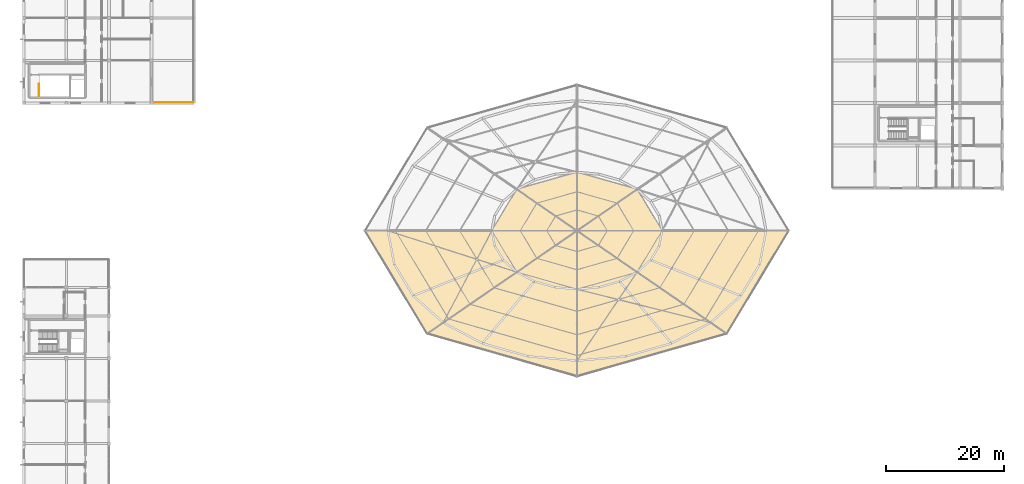
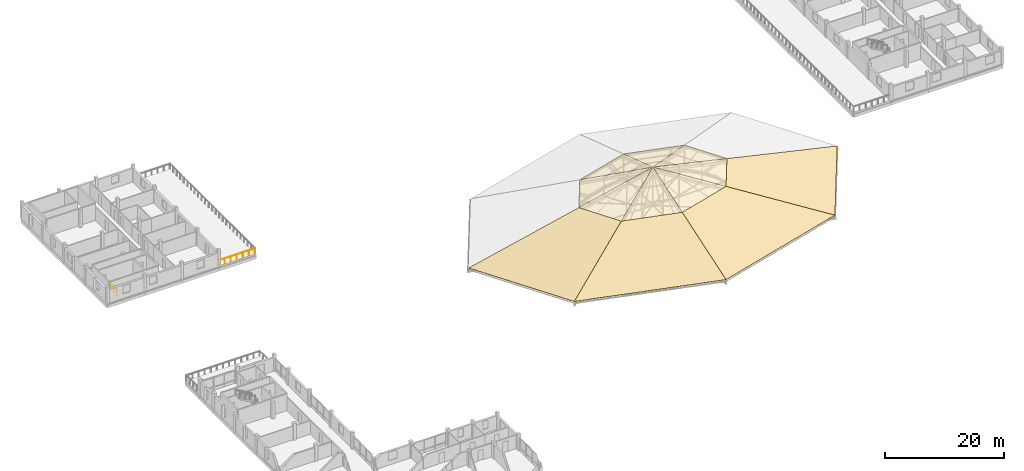
# One storey, part 63 of 66: 12 coverings, 2 railings.
"""IFC4 building model written with IfcOpenShell, lengths in metres."""

import ifcopenshell
import ifcopenshell.guid

model = None  # the IFC model being written
_history = None  # IfcOwnerHistory: only IFC2X3 demands one
_inside = {}  # id of a spatial element -> (the spatial element, [elements in it])
_under = {}  # id of a project, library or spatial element -> (it, [spatial elements below it])
_declared = {}  # id of a project -> (the project, [libraries it declares])
_typed = {}  # id of a type object -> (the type object, [elements of that type])
_made_of = {}  # id of a material, layer set ... -> (it, [elements and type objects made of it])


def new_model(schema):
    """Start an empty IFC model of exactly this schema.

    Asked for "IFC4X3", IfcOpenShell would pick the latest addendum, in which some entities
    have other attributes; the version numbers below select the first issue.
    IFC2X3 requires an IfcOwnerHistory on every rooted entity: one is made here for all.
    """
    global model, _history
    if schema == "IFC4X3":
        model = ifcopenshell.file(schema_version=(4, 3, 0, 0))
    else:
        model = ifcopenshell.file(schema=schema)
    _inside.clear()
    _under.clear()
    _declared.clear()
    _typed.clear()
    _made_of.clear()
    _history = None
    if model.schema == "IFC2X3":
        org = make("IfcOrganization", Name="unknown")
        user = make(
            "IfcPersonAndOrganization",
            ThePerson=make("IfcPerson", FamilyName="unknown"),
            TheOrganization=org,
        )
        app = make(
            "IfcApplication",
            ApplicationDeveloper=org,
            Version="unknown",
            ApplicationFullName="unknown",
            ApplicationIdentifier="unknown",
        )
        _history = make(
            "IfcOwnerHistory",
            OwningUser=user,
            OwningApplication=app,
            ChangeAction="ADDED",
            CreationDate=0,
        )
    return model


def make(cls, **values):
    """One entity of the class cls with the attributes given. An attribute that is None is left unset."""
    return model.create_entity(
        cls, **{name: value for name, value in values.items() if value is not None}
    )


def rooted(cls, **values):
    """An entity with a GlobalId (a new one), such as an element, a storey or a relation."""
    return make(cls, GlobalId=ifcopenshell.guid.new(), OwnerHistory=_history, **values)


def si_unit(unit_type, name, prefix=None):
    """IfcSIUnit, for example si_unit("LENGTHUNIT", "METRE", prefix="MILLI")."""
    return make("IfcSIUnit", UnitType=unit_type, Prefix=prefix, Name=name)


def assignment(units):
    """IfcUnitAssignment: the units of a project."""
    return None if units is None else make("IfcUnitAssignment", Units=units)


def point(xyz):
    """IfcCartesianPoint."""
    return None if xyz is None else make("IfcCartesianPoint", Coordinates=xyz)


def direction(xyz):
    """IfcDirection."""
    return None if xyz is None else make("IfcDirection", DirectionRatios=xyz)


def frame(location, z_axis=None, x_axis=None):
    """IfcAxis2Placement3D, a coordinate frame: its origin and axes. An axis left out is left unset."""
    return make(
        "IfcAxis2Placement3D",
        Location=point(location),
        Axis=direction(z_axis),
        RefDirection=direction(x_axis),
    )


def frame_2d(location, x_axis=None):
    """IfcAxis2Placement2D, a coordinate frame in the plane: its origin and x axis."""
    return make(
        "IfcAxis2Placement2D", Location=point(location), RefDirection=direction(x_axis)
    )


def origin():
    """The frame at (0, 0, 0) with its axes left unset."""
    return frame((0.0, 0.0, 0.0))


def origin_2d():
    """The frame at (0, 0) in the plane with its x axis left unset."""
    return frame_2d((0.0, 0.0))


def place(relative_to, where):
    """IfcLocalPlacement: puts the frame where relative to a parent placement (None: the world)."""
    return make(
        "IfcLocalPlacement", PlacementRelTo=relative_to, RelativePlacement=where
    )


def context(
    kind, dimensions, precision=None, world=None, true_north=None, identifier=None
):
    """IfcGeometricRepresentationContext, for example the 3D "Model" context."""
    return make(
        "IfcGeometricRepresentationContext",
        ContextIdentifier=identifier,
        ContextType=kind,
        CoordinateSpaceDimension=dimensions,
        Precision=precision,
        WorldCoordinateSystem=world,
        TrueNorth=true_north,
    )


def subcontext(parent, identifier, kind, view, scale=None):
    """IfcGeometricRepresentationSubContext, for example "Body" below "Model"."""
    return make(
        "IfcGeometricRepresentationSubContext",
        ContextIdentifier=identifier,
        ContextType=kind,
        ParentContext=parent,
        TargetScale=scale,
        TargetView=view,
    )


def project(units=None, contexts=None):
    """IfcProject with its units and contexts."""
    return rooted(
        "IfcProject",
        Name="project",
        RepresentationContexts=contexts,
        UnitsInContext=assignment(units),
    )


def spatial(cls, under=None, at=None, **own):
    """A site, building, storey or space (cls), placed at a placement, below another one or the project."""
    s = rooted(cls, ObjectPlacement=at, **own)
    if under is not None:
        _under.setdefault(under.id(), (under, []))[1].append(s)
    return s


def polyline(points):
    """IfcPolyline through the points."""
    return make("IfcPolyline", Points=[point(p) for p in points])


def profile(cls, at=None, kind="AREA", **sizes):
    """A parametric profile (cls). Its sizes go by their IFC names, for example OverallWidth=200.0."""
    return make(cls, ProfileType=kind, Position=at, **sizes)


def circle(**sizes):
    """IfcCircleProfileDef."""
    return profile("IfcCircleProfileDef", **sizes)


def outline(outer, holes=None, kind="AREA"):
    """IfcArbitraryClosedProfileDef: a profile drawn as a closed curve; with holes, ...WithVoids."""
    if holes is None:
        return make("IfcArbitraryClosedProfileDef", ProfileType=kind, OuterCurve=outer)
    return make(
        "IfcArbitraryProfileDefWithVoids",
        ProfileType=kind,
        OuterCurve=outer,
        InnerCurves=holes,
    )


def extrude(swept, where, along, depth):
    """IfcExtrudedAreaSolid: the profile swept, set in the frame where, extruded along a direction by depth."""
    return make(
        "IfcExtrudedAreaSolid",
        SweptArea=swept,
        Position=where,
        ExtrudedDirection=direction(along),
        Depth=depth,
    )


def shape(context_of_items, identifier, shape_type, items):
    """IfcShapeRepresentation: the items that make up one representation, for example the "Body"."""
    return make(
        "IfcShapeRepresentation",
        ContextOfItems=context_of_items,
        RepresentationIdentifier=identifier,
        RepresentationType=shape_type,
        Items=items,
    )


def material(Name=None, Category=None):
    """IfcMaterial."""
    return make("IfcMaterial", Name=Name, Category=Category)


def layer(
    of_material, thickness, ventilated=None, Name=None, Category=None, Priority=None
):
    """IfcMaterialLayer: one layer of a wall or slab, of a material (None: an air gap)."""
    return make(
        "IfcMaterialLayer",
        Material=of_material,
        LayerThickness=thickness,
        IsVentilated=ventilated,
        Name=Name,
        Category=Category,
        Priority=Priority,
    )


def layer_set(layers, Name=None):
    """IfcMaterialLayerSet."""
    return make("IfcMaterialLayerSet", MaterialLayers=layers, LayerSetName=Name)


def made_of(thing, what):
    """Note that an element or type object is made of a material, layer set ...; save() writes the relation."""
    if what is not None:
        _made_of.setdefault(what.id(), (what, []))[1].append(thing)
    return thing


def type_object(cls, material=None, **own):
    """A type object (cls), such as IfcWallType, which elements share."""
    return made_of(rooted(cls, **own), material)


def element(
    cls,
    number,
    at=None,
    inside=None,
    cuts=None,
    type_object=None,
    material=None,
    context=None,
    identifier="Body",
    shape_type=None,
    held_by="IfcProductDefinitionShape",
    body=None,
    shapes=None,
    **own,
):
    """One element of the class cls, such as IfcWall. Its Tag is "e" and its number.

    at: its placement. inside: the storey or other place that contains it. cuts: it is an
    opening in that element (IfcRelVoidsElement). A single representation is given by context,
    identifier, shape_type and body (its items); several are given by shapes. held_by: the class
    of the entity that holds the representations. save() writes the other relations.
    """
    e = rooted(cls, Tag="e%d" % number, ObjectPlacement=at, **own)
    if body is not None:
        shapes = [shape(context, identifier, shape_type, body)]
    if shapes is not None:
        e.Representation = make(held_by, Representations=shapes)
    if inside is not None:
        _inside.setdefault(inside.id(), (inside, []))[1].append(e)
    if cuts is not None:
        rooted(
            "IfcRelVoidsElement", RelatingBuildingElement=cuts, RelatedOpeningElement=e
        )
    if type_object is not None:
        _typed.setdefault(type_object.id(), (type_object, []))[1].append(e)
    return made_of(e, material)


def aggregate(whole, parts):
    """IfcRelAggregates: a whole, such as a stair, and the parts it consists of."""
    return rooted("IfcRelAggregates", RelatingObject=whole, RelatedObjects=parts)


def save(model, path):
    """Write the relations noted so far, then the file.

    IfcRelAggregates (storeys below a building ...), IfcRelContainedInSpatialStructure (elements
    in a storey), IfcRelDefinesByType, IfcRelAssociatesMaterial and IfcRelDeclares: one each for
    every whole, place, type object, material and project.
    """
    for whole, parts in _under.values():
        aggregate(whole, parts)
    for where, things in _inside.values():
        rooted(
            "IfcRelContainedInSpatialStructure",
            RelatedElements=things,
            RelatingStructure=where,
        )
    for kind, things in _typed.values():
        rooted("IfcRelDefinesByType", RelatedObjects=things, RelatingType=kind)
    for what, things in _made_of.values():
        rooted("IfcRelAssociatesMaterial", RelatedObjects=things, RelatingMaterial=what)
    for by, libraries in _declared.values():
        rooted("IfcRelDeclares", RelatingContext=by, RelatedDefinitions=libraries)
    model.write(path)


model = new_model("IFC4")

# Units and contexts
model_context = context("Model", 3, precision=1e-05, world=origin(), true_north=direction((0.0, 1.0)))
body_context = subcontext(model_context, "Body", "Model", "MODEL_VIEW")
ifc_project = project(units=[si_unit("LENGTHUNIT", "METRE"), si_unit("AREAUNIT", "SQUARE_METRE"), si_unit("VOLUMEUNIT", "CUBIC_METRE"), si_unit("PLANEANGLEUNIT", "RADIAN"), si_unit("MASSUNIT", "GRAM", prefix="KILO")], contexts=[model_context])

# Site, building, storey
site_placement = place(None, origin())
site = spatial("IfcSite", under=ifc_project, at=site_placement, CompositionType="ELEMENT")
building_placement = place(site_placement, origin())
building = spatial("IfcBuilding", under=site, at=building_placement, Name="Zornivar Specialist Clinic", CompositionType="ELEMENT")
storey_placement = place(building_placement, frame((0.0, 0.0, 16.0)))
storey = spatial("IfcBuildingStorey", under=building, at=storey_placement, Name="L04", CompositionType="ELEMENT", Elevation=16.0)

# Coverings
ifc_material_1 = material(Name="Standing-Seam Pre-Weathered Zinc Roofing")
ifc_layer = layer(ifc_material_1, 0.0400390625)
ifc_layer_set = layer_set([ifc_layer], Name="Standing-Seam Pre-Weathered Zinc Roofing")
covering_type = type_object("IfcCoveringType", Name="COV-ROOF-ZINC-40", PredefinedType="ROOFING", material=ifc_layer_set)
covering_1_placement = place(storey_placement, frame((108.0, 57.60009765625, 4.9453125), z_axis=(0.221047906832, 0.133197708089, 0.96612431573), x_axis=(-0.516115885834, 0.856518763595, 0.0)))
element("IfcCovering", 1, at=covering_1_placement, inside=storey, type_object=covering_type, Name="cov:V1:L04:top:0", PredefinedType="ROOFING", context=body_context, shape_type="SweptSolid", body=[
    extrude(outline(polyline([(0.0, 0.0), (8.172617223960234, 0.0), (7.432018354065082, 12.76625207599172), (0.0, 0.0)])), origin(), (0.0, 0.0, -1.0), 0.0400390625),
])
covering_2_placement = place(storey_placement, frame((103.781982421875, 64.60009765625, 4.9453125), z_axis=(0.0895733401, 0.314502117263, 0.945021182292), x_axis=(-0.961753349851, 0.273916947357, 0.0)))
element("IfcCovering", 2, at=covering_2_placement, inside=storey, type_object=covering_type, Name="cov:V1:L04:top:1", PredefinedType="ROOFING", context=body_context, shape_type="SweptSolid", body=[
    extrude(outline(polyline([(0.0, 0.0), (10.586794178775424, 0.0), (7.87504314964023, 10.075186060076378), (0.0, 0.0)])), origin(), (0.0, 0.0, -1.0), 0.0400390625),
])
covering_3_placement = place(storey_placement, frame((93.60009765625, 67.5, 4.9453125), z_axis=(-0.089571209598, 0.314502177766, 0.945021364093), x_axis=(-0.961755080062, -0.27391087232, 0.0)))
element("IfcCovering", 3, at=covering_3_placement, inside=storey, type_object=covering_type, Name="cov:V1:L04:top:2", PredefinedType="ROOFING", context=body_context, shape_type="SweptSolid", body=[
    extrude(outline(polyline([(0.0, 0.0), (10.587028982050564, 0.0), (2.7116908868588223, 10.075202247265308), (0.0, 0.0)])), origin(), (0.0, 0.0, -1.0), 0.0400390625),
])
covering_4_placement = place(storey_placement, frame((83.41796875, 64.60009765625, 4.9453125), z_axis=(-0.22104440878, 0.133195600254, 0.966125406674), x_axis=(-0.516115885834, -0.856518763595, 0.0)))
element("IfcCovering", 4, at=covering_4_placement, inside=storey, type_object=covering_type, Name="cov:V1:L04:top:3", PredefinedType="ROOFING", context=body_context, shape_type="SweptSolid", body=[
    extrude(outline(polyline([(0.0, 0.0), (8.172617223960234, 4.440892098500626e-16), (0.7404728650402115, 12.76645410335295), (0.0, 0.0)])), origin(), (0.0, 0.0, -1.0), 0.0400390625),
])
covering_5_placement = place(storey_placement, frame((57.760009765625, 57.60009765625, 0.0400390625), z_axis=(-0.221039730723, -0.133186839357, 0.966127684762), x_axis=(0.516092658958, -0.856532759073, -1.975539e-06)))
element("IfcCovering", 5, at=covering_5_placement, inside=storey, type_object=covering_type, Name="cov:V1:L04:low:4", PredefinedType="ROOFING", context=body_context, shape_type="SweptSolid", body=[
    extrude(outline(polyline([(0.0, 0.0), (20.341417159780683, 0.0), (19.237603898630745, 19.008081517604566), (11.064986677691369, 19.007863236588666), (0.0, 0.0)])), origin(), (0.0, 0.0, -1.0), 0.0400390625),
])
covering_6_placement = place(storey_placement, frame((79.199951171875, 57.60009765625, 4.9453125), z_axis=(-0.22104440878, -0.133195600254, 0.966125406674), x_axis=(0.516115885834, -0.856518763595, 0.0)))
element("IfcCovering", 6, at=covering_6_placement, inside=storey, type_object=covering_type, Name="cov:V1:L04:top:4", PredefinedType="ROOFING", context=body_context, shape_type="SweptSolid", body=[
    extrude(outline(polyline([(0.0, 0.0), (8.172617223960234, -4.440892098500626e-16), (7.432144358920023, 12.76645410335295), (0.0, 0.0)])), origin(), (0.0, 0.0, -1.0), 0.0400390625),
])
covering_7_placement = place(storey_placement, frame((68.258056640625, 40.177001953125, 0.0400390625), z_axis=(-0.089564788314, -0.314486092017, 0.94502732586), x_axis=(0.961759274096, -0.273896145788, 3.4256e-06)))
element("IfcCovering", 7, at=covering_7_placement, inside=storey, type_object=covering_type, Name="cov:V1:L04:low:5", PredefinedType="ROOFING", context=body_context, shape_type="SweptSolid", body=[
    extrude(outline(polyline([(0.0, 0.0), (26.349662689486376, -8.881784197001252e-16), (22.312452978839147, 15.000998545071798), (11.725357128915606, 15.001385498925949), (0.0, 0.0)])), origin(), (0.0, 0.0, -1.0), 0.0400390625),
])
covering_8_placement = place(storey_placement, frame((83.41796875, 50.60009765625, 4.9453125), z_axis=(-0.089576717203, -0.314495038949, 0.945023217816), x_axis=(0.961749004956, -0.273932202318, 0.0)))
element("IfcCovering", 8, at=covering_8_placement, inside=storey, type_object=covering_type, Name="cov:V1:L04:top:5", PredefinedType="ROOFING", context=body_context, shape_type="SweptSolid", body=[
    extrude(outline(polyline([(0.0, 0.0), (10.587095857425894, -4.440892098500626e-16), (7.8751269276916, 10.075367303955968), (0.0, 0.0)])), origin(), (0.0, 0.0, -1.0), 0.0400390625),
])
covering_9_placement = place(storey_placement, frame((93.60009765625, 32.9599609375, 0.0400390625), z_axis=(0.089565848507, -0.314485491964, 0.945027425065), x_axis=(0.961758547285, 0.273898697897, -3.760304e-06)))
element("IfcCovering", 9, at=covering_9_placement, inside=storey, type_object=covering_type, Name="cov:V1:L04:low:6", PredefinedType="ROOFING", context=body_context, shape_type="SweptSolid", body=[
    extrude(outline(polyline([(0.0, 0.0), (26.349427884946202, -1.7763568394002505e-15), (14.624106733479604, 15.001413619425936), (4.037245686885658, 15.000988862699817), (0.0, 0.0)])), origin(), (0.0, 0.0, -1.0), 0.0400390625),
])
covering_10_placement = place(storey_placement, frame((93.60009765625, 47.699951171875, 4.9453125), z_axis=(0.089578847833, -0.31449497844, 0.945023035993), x_axis=(0.961747274487, 0.273938277752, 0.0)))
element("IfcCovering", 10, at=covering_10_placement, inside=storey, type_object=covering_type, Name="cov:V1:L04:top:6", PredefinedType="ROOFING", context=body_context, shape_type="SweptSolid", body=[
    extrude(outline(polyline([(0.0, 0.0), (10.586861055633968, 0.0), (2.712029077417446, 10.075351113917138), (0.0, 0.0)])), origin(), (0.0, 0.0, -1.0), 0.0400390625),
])
covering_11_placement = place(storey_placement, frame((118.94189453125, 40.177001953125, 0.0400390625), z_axis=(0.221039730723, -0.133186839357, 0.966127684762), x_axis=(0.516092658958, 0.856532759073, 1.975539e-06)))
element("IfcCovering", 11, at=covering_11_placement, inside=storey, type_object=covering_type, Name="cov:V1:L04:low:7", PredefinedType="ROOFING", context=body_context, shape_type="SweptSolid", body=[
    extrude(outline(polyline([(0.0, 0.0), (20.341417159780683, 0.0), (9.276430482089314, 19.00786323658867), (1.1038132611499414, 19.008081517604566), (0.0, 0.0)])), origin(), (0.0, 0.0, -1.0), 0.0400390625),
])
covering_12_placement = place(storey_placement, frame((103.781982421875, 50.60009765625, 4.9453125), z_axis=(0.221047906832, -0.133197708089, 0.96612431573), x_axis=(0.516115885834, 0.856518763595, 0.0)))
element("IfcCovering", 12, at=covering_12_placement, inside=storey, type_object=covering_type, Name="cov:V1:L04:top:7", PredefinedType="ROOFING", context=body_context, shape_type="SweptSolid", body=[
    extrude(outline(polyline([(0.0, 0.0), (8.172617223960234, 0.0), (0.7405988698951518, 12.76625207599172), (0.0, 0.0)])), origin(), (0.0, 0.0, -1.0), 0.0400390625),
])

# Railings
ifc_material_2 = material(Name="Brushed Stainless Steel Stair Guardrail", Category="steel")
railing_type_1 = type_object("IfcRailingType", Name="GRD-INT-STAIR-1100", PredefinedType="GUARDRAIL", material=ifc_material_2)
railing_1_placement = place(storey_placement, frame((2.570068359375, 80.360107421875, 0.0)))
element("IfcRailing", 13, at=railing_1_placement, inside=storey, type_object=railing_type_1, Name="sg:C7:L04:topwell", PredefinedType="GUARDRAIL", context=body_context, shape_type="SweptSolid", body=[
    extrude(circle(Radius=0.02392578125, at=origin_2d()), frame((0.0, 0.0, 1.076171875), z_axis=(0.0, 1.0, 0.0), x_axis=(-1.0, 0.0, 0.0)), (0.0, 0.0, 1.0), 2.119873046875),
    extrude(circle(Radius=0.02099609375, at=origin_2d()), origin(), (0.0, 0.0, 1.0), 1.052001953125),
    extrude(circle(Radius=0.02099609375, at=origin_2d()), frame((0.0, 1.06005859375, 0.0)), (0.0, 0.0, 1.0), 1.052001953125),
    extrude(circle(Radius=0.02099609375, at=origin_2d()), frame((0.0, 2.119873046875, 0.0)), (0.0, 0.0, 1.0), 1.052001953125),
])
ifc_material_3 = material(Name="Anodised Bronze Terrace Guardrail")
railing_type_2 = type_object("IfcRailingType", Name="GRD-TERR-GUARD-1120", PredefinedType="GUARDRAIL", material=ifc_material_3)
railing_2_placement = place(storey_placement, frame((21.679931640625, 79.280029296875, 0.0)))
element("IfcRailing", 14, at=railing_2_placement, inside=storey, type_object=railing_type_2, Name="rail:V5:L04:terr:0:0", PredefinedType="GUARDRAIL", context=body_context, shape_type="SweptSolid", body=[
    extrude(circle(Radius=0.02392578125, at=origin_2d()), frame((0.0, 0.0, 1.09619140625), z_axis=(1.0, 0.0, 0.0), x_axis=(0.0, 1.0, 0.0)), (0.0, 0.0, 1.0), 7.0400390625),
    extrude(circle(Radius=0.02099609375, at=origin_2d()), origin(), (0.0, 0.0, 1.0), 1.072021484375),
    extrude(circle(Radius=0.02099609375, at=origin_2d()), frame((1.17333984375, 0.0, 0.0)), (0.0, 0.0, 1.0), 1.072021484375),
    extrude(circle(Radius=0.02099609375, at=origin_2d()), frame((2.3466796875, 0.0, 0.0)), (0.0, 0.0, 1.0), 1.072021484375),
    extrude(circle(Radius=0.02099609375, at=origin_2d()), frame((3.52001953125, 0.0, 0.0)), (0.0, 0.0, 1.0), 1.072021484375),
    extrude(circle(Radius=0.02099609375, at=origin_2d()), frame((4.693359375, 0.0, 0.0)), (0.0, 0.0, 1.0), 1.072021484375),
    extrude(circle(Radius=0.02099609375, at=origin_2d()), frame((5.86669921875, 0.0, 0.0)), (0.0, 0.0, 1.0), 1.072021484375),
    extrude(circle(Radius=0.02099609375, at=origin_2d()), frame((7.0400390625, 0.0, 0.0)), (0.0, 0.0, 1.0), 1.072021484375),
])

save(model, "model.ifc")
